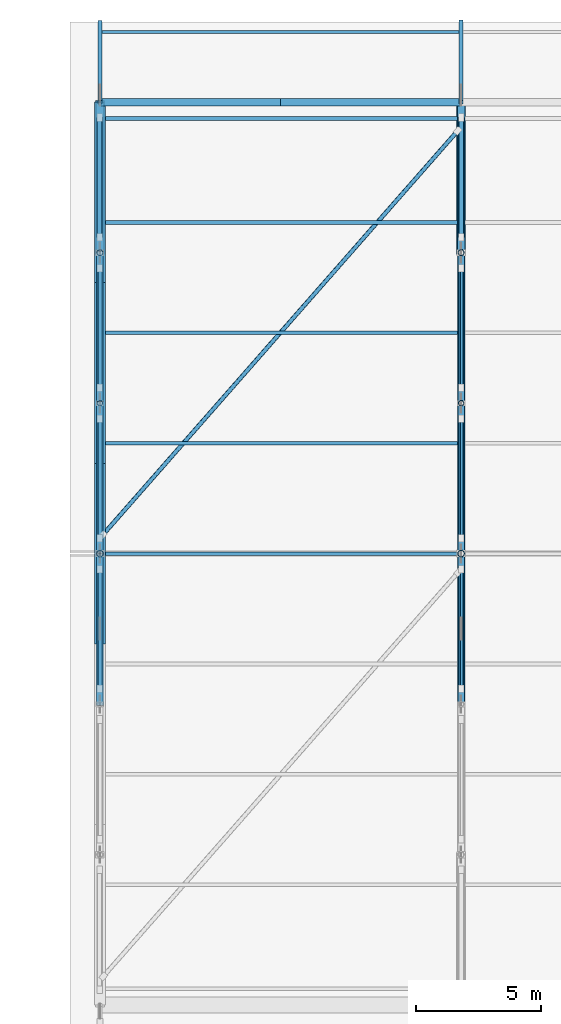
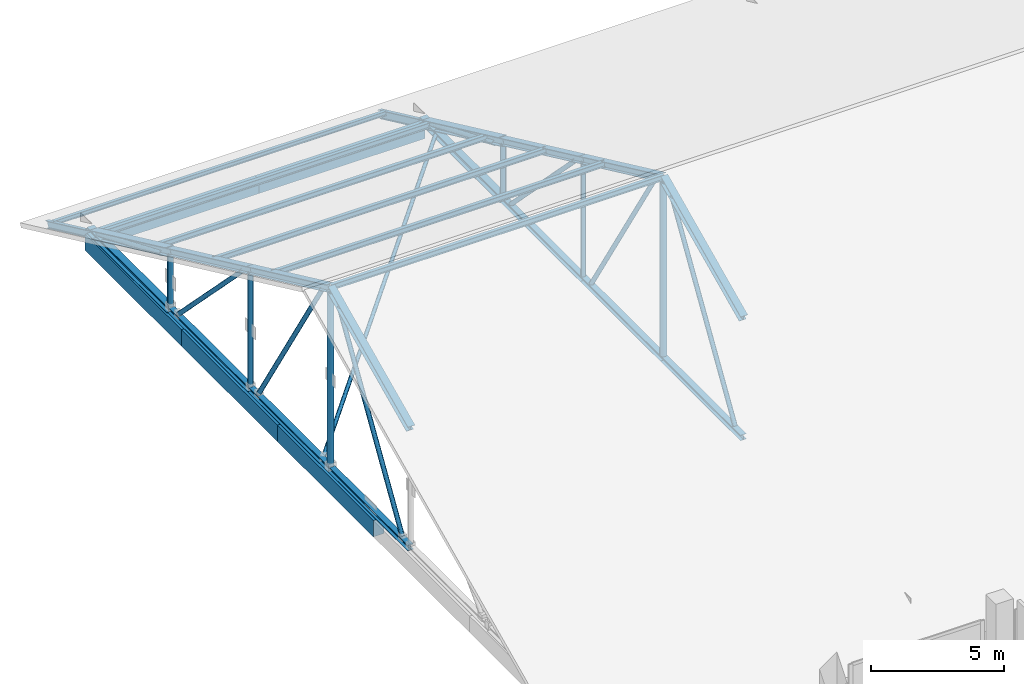
# One storey, part 79 of 141: 39 members, 5 beams, 2 elements without a shape of their own.
"""IFC4 building model written with IfcOpenShell, lengths in metres."""

from ifc_helpers import new_model, si_unit, direction, frame, origin, origin_2d, place, context, subcontext, project, spatial, rectangle, hollow_circle, i_section, extrude, material, material_profile, profile_set, type_object, element, aggregate, save


model = new_model("IFC4")

# Units and contexts
model_context = context("Model", 3, precision=1e-05, world=origin(), true_north=direction((0.0, 1.0)))
body_context = subcontext(model_context, "Body", "Model", "MODEL_VIEW")
ifc_project = project(units=[si_unit("LENGTHUNIT", "METRE"), si_unit("AREAUNIT", "SQUARE_METRE"), si_unit("VOLUMEUNIT", "CUBIC_METRE"), si_unit("PLANEANGLEUNIT", "RADIAN"), si_unit("MASSUNIT", "GRAM", prefix="KILO")], contexts=[model_context])

# Site, building, storey
site_placement = place(None, origin())
site = spatial("IfcSite", under=ifc_project, at=site_placement, CompositionType="ELEMENT")
building_placement = place(site_placement, origin())
building = spatial("IfcBuilding", under=site, at=building_placement, Name="Seraya Terrace Polytechnic", CompositionType="ELEMENT")
storey_placement = place(building_placement, frame((0.0, 0.0, 14.39990234375)))
storey = spatial("IfcBuildingStorey", under=building, at=storey_placement, Name="L03", CompositionType="ELEMENT", Elevation=14.39990234375)

# Assembly, member
ifc_material_1 = material(Name="Steel S355J2", Category="steel")
element_assembly_type = type_object("IfcElementAssemblyType", Name="TR-A1", PredefinedType="TRUSS", material=ifc_material_1)
assembly_1_placement = place(storey_placement, origin())
assembly_1 = element("IfcElementAssembly", 1, at=assembly_1_placement, inside=storey, type_object=element_assembly_type, Name="Pitched steel roof truss TR-01", AssemblyPlace="SITE", PredefinedType="TRUSS")
ifc_material_profile_1 = material_profile(ifc_material_1, i_section(OverallWidth=0.304931640625, OverallDepth=0.304931640625, WebThickness=0.014892578125, FlangeThickness=0.023681640625, at=origin_2d()), Name="UKC 305x305x14.9x23.8")
ifc_profile_set_1 = profile_set([ifc_material_profile_1], Name="Steel S355J2")
member_type_1 = type_object("IfcMemberType", Name="BC-01", PredefinedType="CHORD", material=ifc_profile_set_1)
member_1_placement = place(storey_placement, frame((14.39990234375, 109.199951171875, 0.150146484375), z_axis=(0.0, 1.0, 0.0), x_axis=(-1.0, 0.0, 0.0)))
member_1 = element("IfcMember", 2, at=member_1_placement, type_object=member_type_1, Name="TR-01 bottom chord 6", PredefinedType="CHORD", context=body_context, shape_type="SweptSolid", body=[
    extrude(i_section(OverallWidth=0.304931640625, OverallDepth=0.304931640625, WebThickness=0.014892578125, FlangeThickness=0.023681640625, at=origin_2d()), origin(), (0.0, 0.0, 1.0), 6.0),
])

assembly_2_placement = place(storey_placement, origin())
assembly_2 = element("IfcElementAssembly", 3, at=assembly_2_placement, inside=storey, type_object=element_assembly_type, Name="Pitched steel roof truss TR-02", AssemblyPlace="SITE", PredefinedType="TRUSS")
member_2_placement = place(storey_placement, frame((28.800048828125, 109.199951171875, 0.150146484375), z_axis=(0.0, 1.0, 0.0), x_axis=(-1.0, 0.0, 0.0)))
member_2 = element("IfcMember", 4, at=member_2_placement, type_object=member_type_1, Name="TR-02 bottom chord 6", PredefinedType="CHORD", context=body_context, shape_type="SweptSolid", body=[
    extrude(i_section(OverallWidth=0.304931640625, OverallDepth=0.304931640625, WebThickness=0.014892578125, FlangeThickness=0.023681640625, at=origin_2d()), origin(), (0.0, 0.0, 1.0), 6.0),
])

# Member
ifc_material_profile_2 = material_profile(ifc_material_1, i_section(OverallWidth=0.25390625, OverallDepth=0.25390625, WebThickness=0.0107421875, FlangeThickness=0.017333984375, at=origin_2d()), Name="UKC 254x254x10.7x17.3")
ifc_profile_set_2 = profile_set([ifc_material_profile_2], Name="Steel S355J2")
member_type_2 = type_object("IfcMemberType", Name="BC-02", PredefinedType="CHORD", material=ifc_profile_set_2)
member_3_placement = place(storey_placement, frame((14.39990234375, 91.199951171875, 0.150146484375), z_axis=(0.0, 1.0, 0.0), x_axis=(-1.0, 0.0, 0.0)))
member_3 = element("IfcMember", 5, at=member_3_placement, type_object=member_type_2, Name="TR-01 bottom chord 3", PredefinedType="CHORD", context=body_context, shape_type="SweptSolid", body=[
    extrude(i_section(OverallWidth=0.25390625, OverallDepth=0.25390625, WebThickness=0.0107421875, FlangeThickness=0.017333984375, at=origin_2d()), origin(), (0.0, 0.0, 1.0), 6.0),
])

member_4_placement = place(storey_placement, frame((14.39990234375, 97.199951171875, 0.150146484375), z_axis=(0.0, 1.0, 0.0), x_axis=(-1.0, 0.0, 0.0)))
member_4 = element("IfcMember", 6, at=member_4_placement, type_object=member_type_2, Name="TR-01 bottom chord 4", PredefinedType="CHORD", context=body_context, shape_type="SweptSolid", body=[
    extrude(i_section(OverallWidth=0.25390625, OverallDepth=0.25390625, WebThickness=0.0107421875, FlangeThickness=0.017333984375, at=origin_2d()), origin(), (0.0, 0.0, 1.0), 6.0),
])

member_5_placement = place(storey_placement, frame((14.39990234375, 103.199951171875, 0.150146484375), z_axis=(0.0, 1.0, 0.0), x_axis=(-1.0, 0.0, 0.0)))
member_5 = element("IfcMember", 7, at=member_5_placement, type_object=member_type_2, Name="TR-01 bottom chord 5", PredefinedType="CHORD", context=body_context, shape_type="SweptSolid", body=[
    extrude(i_section(OverallWidth=0.25390625, OverallDepth=0.25390625, WebThickness=0.0107421875, FlangeThickness=0.017333984375, at=origin_2d()), origin(), (0.0, 0.0, 1.0), 6.0),
])

member_6_placement = place(storey_placement, frame((28.800048828125, 91.199951171875, 0.150146484375), z_axis=(0.0, 1.0, 0.0), x_axis=(-1.0, 0.0, 0.0)))
member_6 = element("IfcMember", 8, at=member_6_placement, type_object=member_type_2, Name="TR-02 bottom chord 3", PredefinedType="CHORD", context=body_context, shape_type="SweptSolid", body=[
    extrude(i_section(OverallWidth=0.25390625, OverallDepth=0.25390625, WebThickness=0.0107421875, FlangeThickness=0.017333984375, at=origin_2d()), origin(), (0.0, 0.0, 1.0), 6.0),
])

member_7_placement = place(storey_placement, frame((28.800048828125, 97.199951171875, 0.150146484375), z_axis=(0.0, 1.0, 0.0), x_axis=(-1.0, 0.0, 0.0)))
member_7 = element("IfcMember", 9, at=member_7_placement, type_object=member_type_2, Name="TR-02 bottom chord 4", PredefinedType="CHORD", context=body_context, shape_type="SweptSolid", body=[
    extrude(i_section(OverallWidth=0.25390625, OverallDepth=0.25390625, WebThickness=0.0107421875, FlangeThickness=0.017333984375, at=origin_2d()), origin(), (0.0, 0.0, 1.0), 6.0),
])

member_8_placement = place(storey_placement, frame((28.800048828125, 103.199951171875, 0.150146484375), z_axis=(0.0, 1.0, 0.0), x_axis=(-1.0, 0.0, 0.0)))
member_8 = element("IfcMember", 10, at=member_8_placement, type_object=member_type_2, Name="TR-02 bottom chord 5", PredefinedType="CHORD", context=body_context, shape_type="SweptSolid", body=[
    extrude(i_section(OverallWidth=0.25390625, OverallDepth=0.25390625, WebThickness=0.0107421875, FlangeThickness=0.017333984375, at=origin_2d()), origin(), (0.0, 0.0, 1.0), 6.0),
])

# Beams
ifc_material_2 = material(Name="Concrete C40/50", Category="concrete")
ifc_material_profile_3 = material_profile(ifc_material_2, rectangle(XDim=0.449951171875, YDim=0.75, at=origin_2d()), Name="RC 450x750")
ifc_profile_set_3 = profile_set([ifc_material_profile_3], Name="Concrete C40/50")
beam_type_1 = type_object("IfcBeamType", Name="BM-08", PredefinedType="BEAM", material=ifc_profile_set_3)
for number, where, z_axis, x_axis, name in (
    (11, (14.39990234375, 93.60009765625, -0.375), (0.0, 1.0, 0.0), (-1.0, 0.0, 0.0), "Beam BM-08 L03 Y (14.4, 93.6..100.8)"),
    (12, (14.39990234375, 100.800048828125, -0.375), (0.0, 1.0, 0.0), (-1.0, 0.0, 0.0), "Beam BM-08 L03 Y (14.4, 100.8..108.0)"),
    (13, (14.39990234375, 108.0, -0.375), (0.0, 1.0, 0.0), (-1.0, 0.0, 0.0), "Beam BM-08 L03 Y (14.4, 108.0..115.2)"),
):
    element("IfcBeam", number, at=place(storey_placement, frame(where, z_axis=z_axis, x_axis=x_axis)), inside=storey, type_object=beam_type_1, Name=name, PredefinedType="BEAM", context=body_context, shape_type="SweptSolid", body=[
        extrude(rectangle(XDim=0.449951171875, YDim=0.75, at=origin_2d()), origin(), (0.0, 0.0, 1.0), 7.199951171875),
    ])

# Member
ifc_material_profile_4 = material_profile(ifc_material_1, hollow_circle(Radius=0.109619140625, WallThickness=0.010009765625, at=origin_2d()), Name="CHS 219.1x10.0")
ifc_profile_set_4 = profile_set([ifc_material_profile_4], Name="Steel S355J2")
member_type_3 = type_object("IfcMemberType", Name="BR-01", PredefinedType="BRACE", material=ifc_profile_set_4)
member_9_placement = place(storey_placement, frame((14.39990234375, 109.820068359375, 2.31884765625), z_axis=(0.0, 0.921775035169, -0.387725140453), x_axis=(-1.0, 0.0, 0.0)))
member_9 = element("IfcMember", 14, at=member_9_placement, type_object=member_type_3, Name="TR-01 web diagonal 6", PredefinedType="BRACE", context=body_context, shape_type="SweptSolid", body=[
    extrude(hollow_circle(Radius=0.109619140625, WallThickness=0.010009765625, at=origin_2d()), origin(), (0.0, 0.0, 1.0), 5.1640625),
])

member_10_placement = place(storey_placement, frame((28.800048828125, 109.820068359375, 2.31884765625), z_axis=(0.0, 0.921775035169, -0.387725140453), x_axis=(-1.0, 0.0, 0.0)))
member_10 = element("IfcMember", 15, at=member_10_placement, type_object=member_type_3, Name="TR-02 web diagonal 6", PredefinedType="BRACE", context=body_context, shape_type="SweptSolid", body=[
    extrude(hollow_circle(Radius=0.109619140625, WallThickness=0.010009765625, at=origin_2d()), origin(), (0.0, 0.0, 1.0), 5.1640625),
])

ifc_material_profile_5 = material_profile(ifc_material_1, hollow_circle(Radius=0.096923828125, WallThickness=0.010009765625, at=origin_2d()), Name="CHS 193.7x10.0")
ifc_profile_set_5 = profile_set([ifc_material_profile_5], Name="Steel S355J2")
member_type_4 = type_object("IfcMemberType", Name="BR-02", PredefinedType="BRACE", material=ifc_profile_set_5)
member_11_placement = place(storey_placement, frame((14.39990234375, 91.820068359375, 0.291015625), z_axis=(0.0, 0.528137409747, 0.84915892295), x_axis=(-1.0, 0.0, 0.0)))
member_11 = element("IfcMember", 16, at=member_11_placement, type_object=member_type_4, Name="TR-01 web diagonal 3", PredefinedType="BRACE", context=body_context, shape_type="SweptSolid", body=[
    extrude(hollow_circle(Radius=0.096923828125, WallThickness=0.010009765625, at=origin_2d()), origin(), (0.0, 0.0, 1.0), 9.012939453125),
])

member_12_placement = place(storey_placement, frame((14.39990234375, 97.820068359375, 7.9443359375), z_axis=(0.0, 0.528137409747, -0.84915892295), x_axis=(-1.0, 0.0, 0.0)))
member_12 = element("IfcMember", 17, at=member_12_placement, type_object=member_type_4, Name="TR-01 web diagonal 4", PredefinedType="BRACE", context=body_context, shape_type="SweptSolid", body=[
    extrude(hollow_circle(Radius=0.096923828125, WallThickness=0.010009765625, at=origin_2d()), origin(), (0.0, 0.0, 1.0), 9.012939453125),
])

member_13_placement = place(storey_placement, frame((14.39990234375, 103.820068359375, 5.144287109375), z_axis=(0.0, 0.700213947338, -0.713933069659), x_axis=(-1.0, 0.0, 0.0)))
member_13 = element("IfcMember", 18, at=member_13_placement, type_object=member_type_4, Name="TR-01 web diagonal 5", PredefinedType="BRACE", context=body_context, shape_type="SweptSolid", body=[
    extrude(hollow_circle(Radius=0.096923828125, WallThickness=0.010009765625, at=origin_2d()), origin(), (0.0, 0.0, 1.0), 6.7978515625),
])

member_14_placement = place(storey_placement, frame((28.800048828125, 91.820068359375, 0.291015625), z_axis=(0.0, 0.528137409747, 0.84915892295), x_axis=(-1.0, 0.0, 0.0)))
member_14 = element("IfcMember", 19, at=member_14_placement, type_object=member_type_4, Name="TR-02 web diagonal 3", PredefinedType="BRACE", context=body_context, shape_type="SweptSolid", body=[
    extrude(hollow_circle(Radius=0.096923828125, WallThickness=0.010009765625, at=origin_2d()), origin(), (0.0, 0.0, 1.0), 9.012939453125),
])

member_15_placement = place(storey_placement, frame((28.800048828125, 97.820068359375, 7.9443359375), z_axis=(0.0, 0.528137409747, -0.84915892295), x_axis=(-1.0, 0.0, 0.0)))
member_15 = element("IfcMember", 20, at=member_15_placement, type_object=member_type_4, Name="TR-02 web diagonal 4", PredefinedType="BRACE", context=body_context, shape_type="SweptSolid", body=[
    extrude(hollow_circle(Radius=0.096923828125, WallThickness=0.010009765625, at=origin_2d()), origin(), (0.0, 0.0, 1.0), 9.012939453125),
])

member_16_placement = place(storey_placement, frame((28.800048828125, 103.820068359375, 5.144287109375), z_axis=(0.0, 0.700213947338, -0.713933069659), x_axis=(-1.0, 0.0, 0.0)))
member_16 = element("IfcMember", 21, at=member_16_placement, type_object=member_type_4, Name="TR-02 web diagonal 5", PredefinedType="BRACE", context=body_context, shape_type="SweptSolid", body=[
    extrude(hollow_circle(Radius=0.096923828125, WallThickness=0.010009765625, at=origin_2d()), origin(), (0.0, 0.0, 1.0), 6.7978515625),
])

# Members
ifc_material_profile_6 = material_profile(ifc_material_1, hollow_circle(Radius=0.084228515625, WallThickness=0.008056640625, at=origin_2d()), Name="CHS 168.3x8.0")
ifc_profile_set_6 = profile_set([ifc_material_profile_6], Name="Steel S355J2")
member_type_5 = type_object("IfcMemberType", Name="BR-03", PredefinedType="BRACE", material=ifc_profile_set_6)
member_17_placement = place(storey_placement, frame((14.51806640625, 97.949951171875, 0.150146484375), z_axis=(0.659886060695, 0.75136568121, 0.0), x_axis=(-0.75136568121, 0.659886060695, 0.0)))
element("IfcMember", 22, at=member_17_placement, inside=storey, type_object=member_type_5, Name="Roof plan brace bay 1 N1", PredefinedType="BRACE", context=body_context, shape_type="SweptSolid", body=[
    extrude(hollow_circle(Radius=0.084228515625, WallThickness=0.008056640625, at=origin_2d()), origin(), (0.0, 0.0, 1.0), 21.427734375),
])
ifc_material_profile_7 = material_profile(ifc_material_1, i_section(OverallWidth=0.14599609375, OverallDepth=0.25390625, WebThickness=0.007080078125, FlangeThickness=0.01416015625, at=origin_2d()), Name="UKB 254x146x7.2x14.2")
ifc_profile_set_7 = profile_set([ifc_material_profile_7], Name="Steel S355J2")
member_type_6 = type_object("IfcMemberType", Name="PR-01", PredefinedType="PURLIN", material=ifc_profile_set_7)
for number, where, z_axis, x_axis, name in (
    (23, (14.39990234375, 97.199951171875, 8.43017578125), (1.0, 0.0, 0.0), (0.0, 1.0, 0.0), "Workshop roof purlin PR-01 bay 1.6"),
    (24, (14.39990234375, 101.60009765625, 6.376953125), (1.0, 0.0, 0.0), (0.0, 1.0, 0.0), "Workshop roof purlin PR-01 bay 1.7"),
    (25, (14.39990234375, 106.0, 4.323486328125), (1.0, 0.0, 0.0), (0.0, 1.0, 0.0), "Workshop roof purlin PR-01 bay 1.8"),
    (26, (14.39990234375, 110.39990234375, 2.270263671875), (1.0, 0.0, 0.0), (0.0, 1.0, 0.0), "Workshop roof purlin PR-01 bay 1.9"),
    (27, (14.39990234375, 114.550048828125, 0.33349609375), (1.0, 0.0, 0.0), (0.0, 1.0, 0.0), "Workshop roof purlin PR-01 bay 1.10"),
):
    element("IfcMember", number, at=place(storey_placement, frame(where, z_axis=z_axis, x_axis=x_axis)), inside=storey, type_object=member_type_6, Name=name, PredefinedType="PURLIN", context=body_context, shape_type="SweptSolid", body=[
        extrude(i_section(OverallWidth=0.14599609375, OverallDepth=0.25390625, WebThickness=0.007080078125, FlangeThickness=0.01416015625, at=origin_2d()), origin(), (0.0, 0.0, 1.0), 14.400146484375),
    ])
ifc_material_profile_8 = material_profile(ifc_material_1, i_section(OverallWidth=0.133056640625, OverallDepth=0.202880859375, WebThickness=0.00634765625, FlangeThickness=0.01171875, at=origin_2d()), Name="UKB 203x133x6.4x11.8")
ifc_profile_set_8 = profile_set([ifc_material_profile_8], Name="Steel S355J2")
member_type_7 = type_object("IfcMemberType", Name="PR-02", PredefinedType="PURLIN", material=ifc_profile_set_8)
member_18_placement = place(storey_placement, frame((14.39990234375, 118.0, -1.247802734375), z_axis=(1.0, 0.0, 0.0), x_axis=(0.0, 1.0, 0.0)))
element("IfcMember", 28, at=member_18_placement, inside=storey, type_object=member_type_7, Name="Workshop roof purlin PR-02 bay 1.11", PredefinedType="PURLIN", context=body_context, shape_type="SweptSolid", body=[
    extrude(i_section(OverallWidth=0.133056640625, OverallDepth=0.202880859375, WebThickness=0.00634765625, FlangeThickness=0.01171875, at=origin_2d()), origin(), (0.0, 0.0, 1.0), 14.400146484375),
])

# Member
ifc_material_profile_9 = material_profile(ifc_material_1, i_section(OverallWidth=0.1708984375, OverallDepth=0.35595703125, WebThickness=0.009033203125, FlangeThickness=0.015625, at=origin_2d()), Name="UKB 356x171x9.1x15.7")
ifc_profile_set_9 = profile_set([ifc_material_profile_9], Name="Steel S355J2")
member_type_8 = type_object("IfcMemberType", Name="RF-01", PredefinedType="RAFTER", material=ifc_profile_set_9)
member_19_placement = place(storey_placement, frame((28.800048828125, 115.199951171875, -0.052001953125), z_axis=(0.0, 0.906199036176, -0.422851400416), x_axis=(-1.0, 0.0, 0.0)))
member_19 = element("IfcMember", 29, at=member_19_placement, type_object=member_type_8, Name="TR-02 North monsoon eave rafter", PredefinedType="RAFTER", context=body_context, shape_type="SweptSolid", body=[
    extrude(i_section(OverallWidth=0.1708984375, OverallDepth=0.35595703125, WebThickness=0.009033203125, FlangeThickness=0.015625, at=origin_2d()), origin(), (0.0, 0.0, 1.0), 3.53125),
])

ifc_material_profile_10 = material_profile(ifc_material_1, i_section(OverallWidth=0.1650390625, OverallDepth=0.304931640625, WebThickness=0.0087890625, FlangeThickness=0.0166015625, at=origin_2d()), Name="UKB 305x165x8.9x16.7")
ifc_profile_set_10 = profile_set([ifc_material_profile_10], Name="Steel S355J2")
member_type_9 = type_object("IfcMemberType", Name="RF-02", PredefinedType="RAFTER", material=ifc_profile_set_10)
member_20_placement = place(storey_placement, frame((14.39990234375, 115.199951171875, -0.052001953125), z_axis=(0.0, 0.906199036176, -0.422851400416), x_axis=(-1.0, 0.0, 0.0)))
member_20 = element("IfcMember", 30, at=member_20_placement, type_object=member_type_9, Name="TR-01 North monsoon eave rafter", PredefinedType="RAFTER", context=body_context, shape_type="SweptSolid", body=[
    extrude(i_section(OverallWidth=0.1650390625, OverallDepth=0.304931640625, WebThickness=0.0087890625, FlangeThickness=0.0166015625, at=origin_2d()), origin(), (0.0, 0.0, 1.0), 3.53125),
])

# Beams
ifc_material_profile_11 = material_profile(ifc_material_2, rectangle(XDim=0.300048828125, YDim=0.64990234375, at=origin_2d()), Name="RC 300x650")
ifc_profile_set_11 = profile_set([ifc_material_profile_11], Name="Concrete C40/50")
beam_type_2 = type_object("IfcBeamType", Name="SP-01", PredefinedType="SPANDREL", material=ifc_profile_set_11)
beam_1_placement = place(storey_placement, frame((14.39990234375, 115.199951171875, -0.324951171875), z_axis=(1.0, 0.0, 0.0), x_axis=(0.0, 1.0, 0.0)))
element("IfcBeam", 31, at=beam_1_placement, inside=storey, type_object=beam_type_2, Name="Beam SP-01 L03 X (14.4..21.6, 115.2)", PredefinedType="SPANDREL", context=body_context, shape_type="SweptSolid", body=[
    extrude(rectangle(XDim=0.300048828125, YDim=0.64990234375, at=origin_2d()), origin(), (0.0, 0.0, 1.0), 7.2001953125),
])
beam_2_placement = place(storey_placement, frame((21.60009765625, 115.199951171875, -0.324951171875), z_axis=(1.0, 0.0, 0.0), x_axis=(0.0, 1.0, 0.0)))
element("IfcBeam", 32, at=beam_2_placement, inside=storey, type_object=beam_type_2, Name="Beam SP-01 L03 X (21.6..28.8, 115.2)", PredefinedType="SPANDREL", context=body_context, shape_type="SweptSolid", body=[
    extrude(rectangle(XDim=0.300048828125, YDim=0.64990234375, at=origin_2d()), origin(), (0.0, 0.0, 1.0), 7.199951171875),
])

# Member
ifc_material_profile_12 = material_profile(ifc_material_1, hollow_circle(Radius=0.136474609375, WallThickness=0.012451171875, at=origin_2d()), Name="CHS 273.0x12.5")
ifc_profile_set_12 = profile_set([ifc_material_profile_12], Name="Steel S355J2")
member_type_10 = type_object("IfcMemberType", Name="ST-M1", PredefinedType="STRUT", material=ifc_profile_set_12)
member_21_placement = place(storey_placement, frame((14.39990234375, 97.199951171875, 0.281005859375), z_axis=(0.0, 0.0, 1.0), x_axis=(1.0, 0.0, 0.0)))
member_21 = element("IfcMember", 33, at=member_21_placement, type_object=member_type_10, Name="TR-01 vertical strut 4", PredefinedType="STRUT", context=body_context, shape_type="SweptSolid", body=[
    extrude(hollow_circle(Radius=0.136474609375, WallThickness=0.012451171875, at=origin_2d()), origin(), (0.0, 0.0, 1.0), 7.962646484375),
])

member_22_placement = place(storey_placement, frame((28.800048828125, 97.199951171875, 0.281005859375), z_axis=(0.0, 0.0, 1.0), x_axis=(1.0, 0.0, 0.0)))
member_22 = element("IfcMember", 34, at=member_22_placement, type_object=member_type_10, Name="TR-02 vertical strut 4", PredefinedType="STRUT", context=body_context, shape_type="SweptSolid", body=[
    extrude(hollow_circle(Radius=0.136474609375, WallThickness=0.012451171875, at=origin_2d()), origin(), (0.0, 0.0, 1.0), 7.962646484375),
])

ifc_material_profile_13 = material_profile(ifc_material_1, hollow_circle(Radius=0.122314453125, WallThickness=0.012451171875, at=origin_2d()), Name="CHS 244.5x12.5")
ifc_profile_set_13 = profile_set([ifc_material_profile_13], Name="Steel S355J2")
member_type_11 = type_object("IfcMemberType", Name="ST-M2", PredefinedType="STRUT", material=ifc_profile_set_13)
member_23_placement = place(storey_placement, frame((14.39990234375, 109.199951171875, 0.306640625), z_axis=(0.0, 0.0, 1.0), x_axis=(1.0, 0.0, 0.0)))
member_23 = element("IfcMember", 35, at=member_23_placement, type_object=member_type_11, Name="TR-01 vertical strut 6", PredefinedType="STRUT", context=body_context, shape_type="SweptSolid", body=[
    extrude(hollow_circle(Radius=0.122314453125, WallThickness=0.012451171875, at=origin_2d()), origin(), (0.0, 0.0, 1.0), 2.3115234375),
])

member_24_placement = place(storey_placement, frame((28.800048828125, 109.199951171875, 0.306640625), z_axis=(0.0, 0.0, 1.0), x_axis=(1.0, 0.0, 0.0)))
member_24 = element("IfcMember", 36, at=member_24_placement, type_object=member_type_11, Name="TR-02 vertical strut 6", PredefinedType="STRUT", context=body_context, shape_type="SweptSolid", body=[
    extrude(hollow_circle(Radius=0.122314453125, WallThickness=0.012451171875, at=origin_2d()), origin(), (0.0, 0.0, 1.0), 2.3115234375),
])

ifc_material_profile_14 = material_profile(ifc_material_1, hollow_circle(Radius=0.109619140625, WallThickness=0.010009765625, at=origin_2d()), Name="CHS 219.1x10.0")
ifc_profile_set_14 = profile_set([ifc_material_profile_14], Name="Steel S355J2")
member_type_12 = type_object("IfcMemberType", Name="ST-M3", PredefinedType="STRUT", material=ifc_profile_set_14)
member_25_placement = place(storey_placement, frame((14.39990234375, 103.199951171875, 0.281005859375), z_axis=(0.0, 0.0, 1.0), x_axis=(1.0, 0.0, 0.0)))
member_25 = element("IfcMember", 37, at=member_25_placement, type_object=member_type_12, Name="TR-01 vertical strut 5", PredefinedType="STRUT", context=body_context, shape_type="SweptSolid", body=[
    extrude(hollow_circle(Radius=0.109619140625, WallThickness=0.010009765625, at=origin_2d()), origin(), (0.0, 0.0, 1.0), 5.16259765625),
])

member_26_placement = place(storey_placement, frame((28.800048828125, 103.199951171875, 0.281005859375), z_axis=(0.0, 0.0, 1.0), x_axis=(1.0, 0.0, 0.0)))
member_26 = element("IfcMember", 38, at=member_26_placement, type_object=member_type_12, Name="TR-02 vertical strut 5", PredefinedType="STRUT", context=body_context, shape_type="SweptSolid", body=[
    extrude(hollow_circle(Radius=0.109619140625, WallThickness=0.010009765625, at=origin_2d()), origin(), (0.0, 0.0, 1.0), 5.16259765625),
])

ifc_material_profile_15 = material_profile(ifc_material_1, i_section(OverallWidth=0.367919921875, OverallDepth=0.35595703125, WebThickness=0.014892578125, FlangeThickness=0.0244140625, at=origin_2d()), Name="UKC 356x368x15.0x24.4")
ifc_profile_set_15 = profile_set([ifc_material_profile_15], Name="Steel S355J2")
member_type_13 = type_object("IfcMemberType", Name="TC-01", PredefinedType="CHORD", material=ifc_profile_set_15)
member_27_placement = place(storey_placement, frame((14.39990234375, 109.199951171875, 2.800048828125), z_axis=(0.0, 0.906180313975, -0.422891521036), x_axis=(-1.0, 0.0, 0.0)))
member_27 = element("IfcMember", 39, at=member_27_placement, type_object=member_type_13, Name="TR-01 top chord 6", PredefinedType="CHORD", context=body_context, shape_type="SweptSolid", body=[
    extrude(i_section(OverallWidth=0.367919921875, OverallDepth=0.35595703125, WebThickness=0.014892578125, FlangeThickness=0.0244140625, at=origin_2d()), origin(), (0.0, 0.0, 1.0), 6.62109375),
])

member_28_placement = place(storey_placement, frame((28.800048828125, 109.199951171875, 2.800048828125), z_axis=(0.0, 0.906180313975, -0.422891521036), x_axis=(-1.0, 0.0, 0.0)))
member_28 = element("IfcMember", 40, at=member_28_placement, type_object=member_type_13, Name="TR-02 top chord 6", PredefinedType="CHORD", context=body_context, shape_type="SweptSolid", body=[
    extrude(i_section(OverallWidth=0.367919921875, OverallDepth=0.35595703125, WebThickness=0.014892578125, FlangeThickness=0.0244140625, at=origin_2d()), origin(), (0.0, 0.0, 1.0), 6.62109375),
])

ifc_material_profile_16 = material_profile(ifc_material_1, i_section(OverallWidth=0.304931640625, OverallDepth=0.304931640625, WebThickness=0.011962890625, FlangeThickness=0.019775390625, at=origin_2d()), Name="UKC 305x305x12.0x19.7")
ifc_profile_set_16 = profile_set([ifc_material_profile_16], Name="Steel S355J2")
member_type_14 = type_object("IfcMemberType", Name="TC-02", PredefinedType="CHORD", material=ifc_profile_set_16)
member_29_placement = place(storey_placement, frame((14.39990234375, 91.199951171875, 5.60009765625), z_axis=(0.0, 0.906180313975, 0.422891521036), x_axis=(-1.0, 0.0, 0.0)))
member_29 = element("IfcMember", 41, at=member_29_placement, type_object=member_type_14, Name="TR-01 top chord 3", PredefinedType="CHORD", context=body_context, shape_type="SweptSolid", body=[
    extrude(i_section(OverallWidth=0.304931640625, OverallDepth=0.304931640625, WebThickness=0.011962890625, FlangeThickness=0.019775390625, at=origin_2d()), origin(), (0.0, 0.0, 1.0), 6.62109375),
])

member_30_placement = place(storey_placement, frame((14.39990234375, 97.199951171875, 8.400146484375), z_axis=(0.0, 0.906180313975, -0.422891521036), x_axis=(-1.0, 0.0, 0.0)))
member_30 = element("IfcMember", 42, at=member_30_placement, type_object=member_type_14, Name="TR-01 top chord 4", PredefinedType="CHORD", context=body_context, shape_type="SweptSolid", body=[
    extrude(i_section(OverallWidth=0.304931640625, OverallDepth=0.304931640625, WebThickness=0.011962890625, FlangeThickness=0.019775390625, at=origin_2d()), origin(), (0.0, 0.0, 1.0), 6.62109375),
])

member_31_placement = place(storey_placement, frame((14.39990234375, 103.199951171875, 5.60009765625), z_axis=(0.0, 0.906180313975, -0.422891521036), x_axis=(-1.0, 0.0, 0.0)))
member_31 = element("IfcMember", 43, at=member_31_placement, type_object=member_type_14, Name="TR-01 top chord 5", PredefinedType="CHORD", context=body_context, shape_type="SweptSolid", body=[
    extrude(i_section(OverallWidth=0.304931640625, OverallDepth=0.304931640625, WebThickness=0.011962890625, FlangeThickness=0.019775390625, at=origin_2d()), origin(), (0.0, 0.0, 1.0), 6.62109375),
])

aggregate(assembly_1, [member_3, member_29, member_4, member_30, member_5, member_31, member_1, member_27, member_21, member_25, member_23, member_11, member_12, member_13, member_9, member_20])

member_32_placement = place(storey_placement, frame((28.800048828125, 91.199951171875, 5.60009765625), z_axis=(0.0, 0.906180313975, 0.422891521036), x_axis=(-1.0, 0.0, 0.0)))
member_32 = element("IfcMember", 44, at=member_32_placement, type_object=member_type_14, Name="TR-02 top chord 3", PredefinedType="CHORD", context=body_context, shape_type="SweptSolid", body=[
    extrude(i_section(OverallWidth=0.304931640625, OverallDepth=0.304931640625, WebThickness=0.011962890625, FlangeThickness=0.019775390625, at=origin_2d()), origin(), (0.0, 0.0, 1.0), 6.62109375),
])

member_33_placement = place(storey_placement, frame((28.800048828125, 97.199951171875, 8.400146484375), z_axis=(0.0, 0.906180313975, -0.422891521036), x_axis=(-1.0, 0.0, 0.0)))
member_33 = element("IfcMember", 45, at=member_33_placement, type_object=member_type_14, Name="TR-02 top chord 4", PredefinedType="CHORD", context=body_context, shape_type="SweptSolid", body=[
    extrude(i_section(OverallWidth=0.304931640625, OverallDepth=0.304931640625, WebThickness=0.011962890625, FlangeThickness=0.019775390625, at=origin_2d()), origin(), (0.0, 0.0, 1.0), 6.62109375),
])

member_34_placement = place(storey_placement, frame((28.800048828125, 103.199951171875, 5.60009765625), z_axis=(0.0, 0.906180313975, -0.422891521036), x_axis=(-1.0, 0.0, 0.0)))
member_34 = element("IfcMember", 46, at=member_34_placement, type_object=member_type_14, Name="TR-02 top chord 5", PredefinedType="CHORD", context=body_context, shape_type="SweptSolid", body=[
    extrude(i_section(OverallWidth=0.304931640625, OverallDepth=0.304931640625, WebThickness=0.011962890625, FlangeThickness=0.019775390625, at=origin_2d()), origin(), (0.0, 0.0, 1.0), 6.62109375),
])

aggregate(assembly_2, [member_6, member_32, member_7, member_33, member_8, member_34, member_2, member_28, member_22, member_26, member_24, member_14, member_15, member_16, member_10, member_19])

save(model, "model.ifc")
